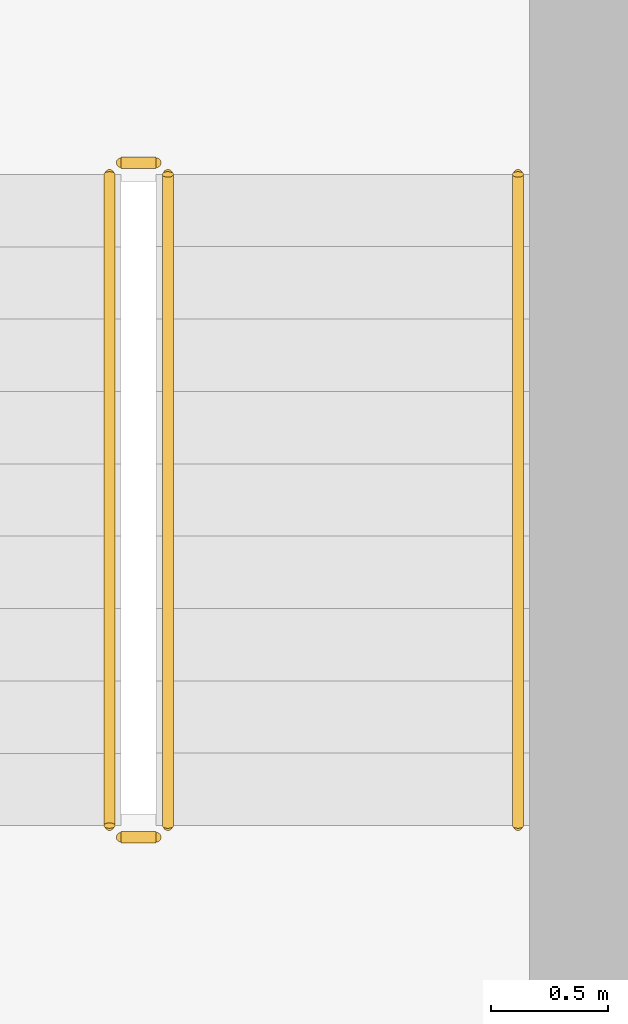
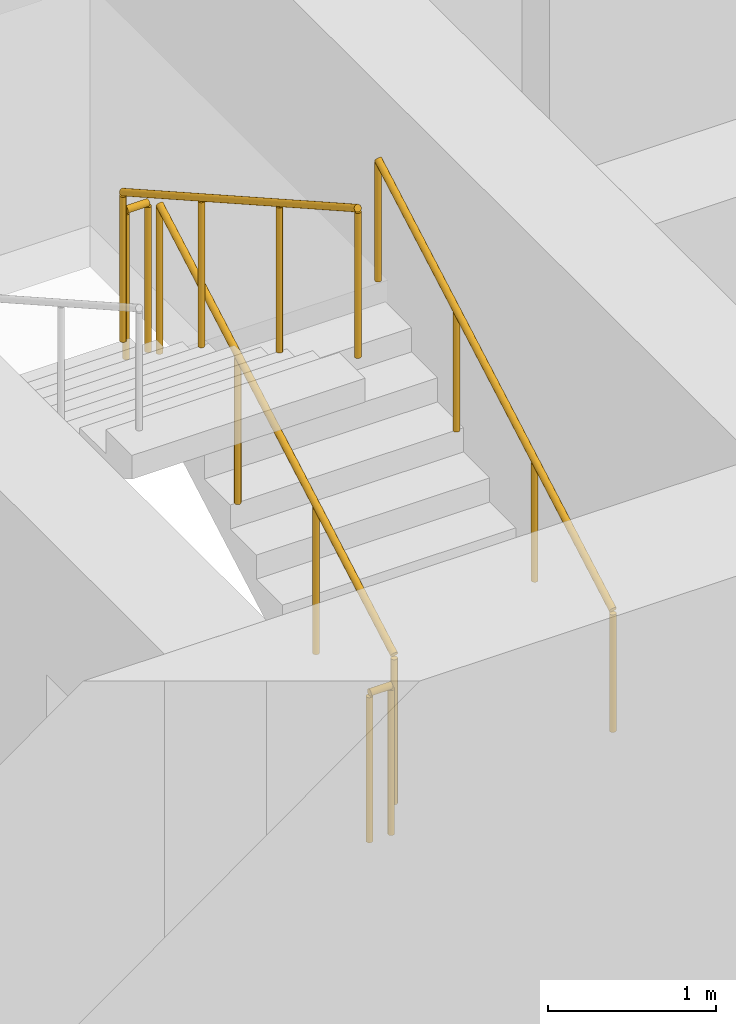
# One storey, part 17 of 21: 5 railings.
"""IFC4 building model written with IfcOpenShell, lengths in metres."""

from ifc_helpers import new_model, si_unit, direction, frame, origin, origin_2d, place, context, subcontext, project, spatial, circle, extrude, material, type_object, element, save


model = new_model("IFC4")

# Units and contexts
model_context = context("Model", 3, precision=1e-05, world=origin(), true_north=direction((0.0, 1.0)))
body_context = subcontext(model_context, "Body", "Model", "MODEL_VIEW")
ifc_project = project(units=[si_unit("LENGTHUNIT", "METRE"), si_unit("AREAUNIT", "SQUARE_METRE"), si_unit("VOLUMEUNIT", "CUBIC_METRE"), si_unit("PLANEANGLEUNIT", "RADIAN"), si_unit("MASSUNIT", "GRAM", prefix="KILO")], contexts=[model_context])

# Site, building, storey
site_placement = place(None, origin())
site = spatial("IfcSite", under=ifc_project, at=site_placement, CompositionType="ELEMENT")
building_placement = place(site_placement, origin())
building = spatial("IfcBuilding", under=site, at=building_placement, Name="Madar Terraces", CompositionType="ELEMENT")
storey_placement = place(building_placement, frame((0.0, 0.0, 50.39990234375)))
storey = spatial("IfcBuildingStorey", under=building, at=storey_placement, Name="L12", CompositionType="ELEMENT", Elevation=50.39990234375)

# Railings
ifc_material_1 = material(Name="Stainless steel railing", Category="steel")
railing_type_1 = type_object("IfcRailingType", Name="Stair guard 1100", PredefinedType="GUARDRAIL", material=ifc_material_1)
railing_1_placement = place(storey_placement, frame((21.199951171875, 17.60009765625, 0.175048828125)))
element("IfcRailing", 1, at=railing_1_placement, inside=storey, type_object=railing_type_1, Name="L12 ST1 stair guard 1", PredefinedType="GUARDRAIL", context=body_context, shape_type="SweptSolid", body=[
    extrude(circle(Radius=0.02392578125, at=origin_2d()), frame((0.0, 0.0, 1.076171875), z_axis=(0.0, 0.870815363784, 0.491610213684), x_axis=(-1.0, 0.0, 0.0)), (0.0, 0.0, 1.0), 3.20361328125),
    extrude(circle(Radius=0.02099609375, at=origin_2d()), origin(), (0.0, 0.0, 1.0), 1.052001953125),
    extrude(circle(Radius=0.02099609375, at=origin_2d()), frame((0.0, 0.929931640625, 0.52490234375)), (0.0, 0.0, 1.0), 1.052001953125),
    extrude(circle(Radius=0.02099609375, at=origin_2d()), frame((0.0, 1.85986328125, 1.050048828125)), (0.0, 0.0, 1.0), 1.052001953125),
    extrude(circle(Radius=0.02099609375, at=origin_2d()), frame((0.0, 2.789794921875, 1.574951171875)), (0.0, 0.0, 1.0), 1.052001953125),
])
railing_2_placement = place(storey_placement, frame((21.14990234375, 20.43994140625, 1.75)))
element("IfcRailing", 2, at=railing_2_placement, inside=storey, type_object=railing_type_1, Name="L12 ST1 stair guard 2", PredefinedType="GUARDRAIL", context=body_context, shape_type="SweptSolid", body=[
    extrude(circle(Radius=0.02392578125, at=origin_2d()), frame((0.0, 0.0, 1.076171875), z_axis=(-1.0, 0.0, 0.0), x_axis=(0.0, -1.0, 0.0)), (0.0, 0.0, 1.0), 0.14990234375),
    extrude(circle(Radius=0.02099609375, at=origin_2d()), origin(), (0.0, 0.0, 1.0), 1.052001953125),
    extrude(circle(Radius=0.02099609375, at=origin_2d()), frame((-0.14990234375, 0.0, 0.0)), (0.0, 0.0, 1.0), 1.052001953125),
])
railing_3_placement = place(storey_placement, frame((20.949951171875, 20.389892578125, 1.925048828125)))
element("IfcRailing", 3, at=railing_3_placement, inside=storey, type_object=railing_type_1, Name="L12 ST1 stair guard 3", PredefinedType="GUARDRAIL", context=body_context, shape_type="SweptSolid", body=[
    extrude(circle(Radius=0.02392578125, at=origin_2d()), frame((0.0, 0.0, 1.076171875), z_axis=(0.0, -0.870815363784, 0.491610213684), x_axis=(1.0, 0.0, 0.0)), (0.0, 0.0, 1.0), 3.20361328125),
    extrude(circle(Radius=0.02099609375, at=origin_2d()), origin(), (0.0, 0.0, 1.0), 1.052001953125),
    extrude(circle(Radius=0.02099609375, at=origin_2d()), frame((0.0, -0.929931640625, 0.52490234375)), (0.0, 0.0, 1.0), 1.052001953125),
    extrude(circle(Radius=0.02099609375, at=origin_2d()), frame((0.0, -1.85986328125, 1.050048828125)), (0.0, 0.0, 1.0), 1.052001953125),
    extrude(circle(Radius=0.02099609375, at=origin_2d()), frame((0.0, -2.789794921875, 1.574951171875)), (0.0, 0.0, 1.0), 1.052001953125),
])
railing_4_placement = place(storey_placement, frame((21.14990234375, 17.550048828125, 0.0)))
element("IfcRailing", 4, at=railing_4_placement, inside=storey, type_object=railing_type_1, Name="L12 ST1 stair guard 4", PredefinedType="GUARDRAIL", context=body_context, shape_type="SweptSolid", body=[
    extrude(circle(Radius=0.02392578125, at=origin_2d()), frame((0.0, 0.0, 1.076171875), z_axis=(-1.0, 0.0, 0.0), x_axis=(0.0, -1.0, 0.0)), (0.0, 0.0, 1.0), 0.14990234375),
    extrude(circle(Radius=0.02099609375, at=origin_2d()), origin(), (0.0, 0.0, 1.0), 1.052001953125),
    extrude(circle(Radius=0.02099609375, at=origin_2d()), frame((-0.14990234375, 0.0, 0.0)), (0.0, 0.0, 1.0), 1.052001953125),
])
ifc_material_2 = material(Name="Stainless steel railing", Category="steel")
railing_type_2 = type_object("IfcRailingType", Name="Stair handrail 900", PredefinedType="HANDRAIL", material=ifc_material_2)
railing_5_placement = place(storey_placement, frame((22.699951171875, 17.60009765625, 0.175048828125)))
element("IfcRailing", 5, at=railing_5_placement, inside=storey, type_object=railing_type_2, Name="L12 ST1 stair handrail 1", PredefinedType="HANDRAIL", context=body_context, shape_type="SweptSolid", body=[
    extrude(circle(Radius=0.02392578125, at=origin_2d()), frame((0.0, 0.0, 0.8759765625), z_axis=(0.0, 0.870815363784, 0.491610213684), x_axis=(-1.0, 0.0, 0.0)), (0.0, 0.0, 1.0), 3.20361328125),
    extrude(circle(Radius=0.02099609375, at=origin_2d()), origin(), (0.0, 0.0, 1.0), 0.851806640625),
    extrude(circle(Radius=0.02099609375, at=origin_2d()), frame((0.0, 0.929931640625, 0.52490234375)), (0.0, 0.0, 1.0), 0.851806640625),
    extrude(circle(Radius=0.02099609375, at=origin_2d()), frame((0.0, 1.85986328125, 1.050048828125)), (0.0, 0.0, 1.0), 0.851806640625),
    extrude(circle(Radius=0.02099609375, at=origin_2d()), frame((0.0, 2.789794921875, 1.574951171875)), (0.0, 0.0, 1.0), 0.851806640625),
])

save(model, "model.ifc")
